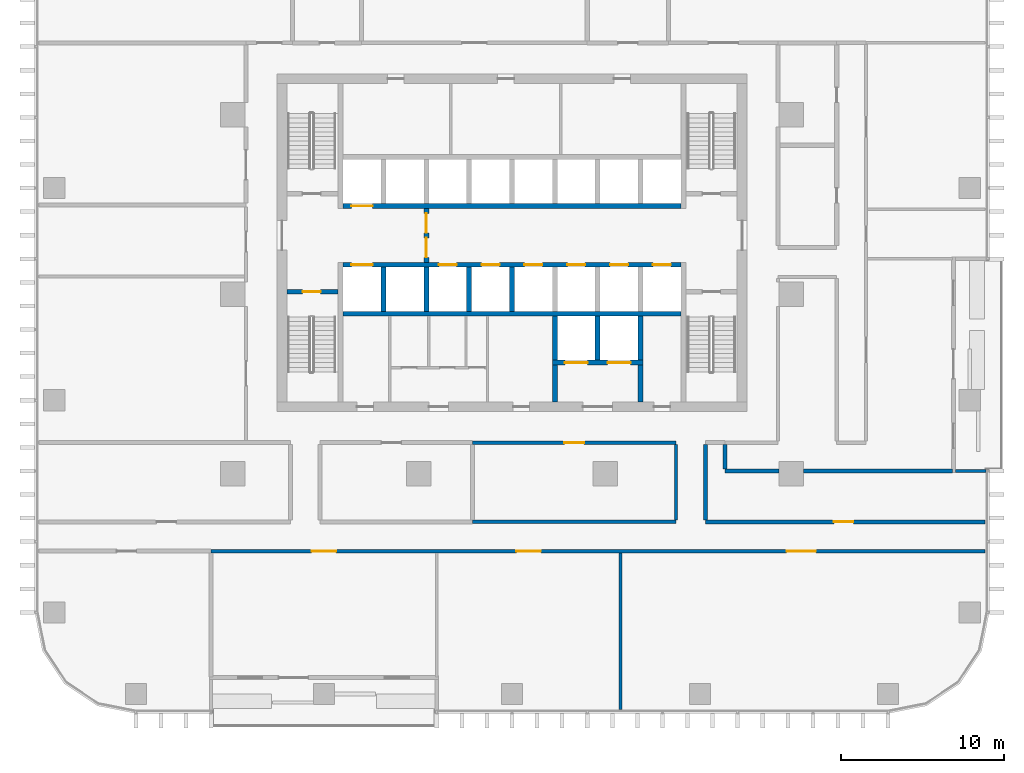
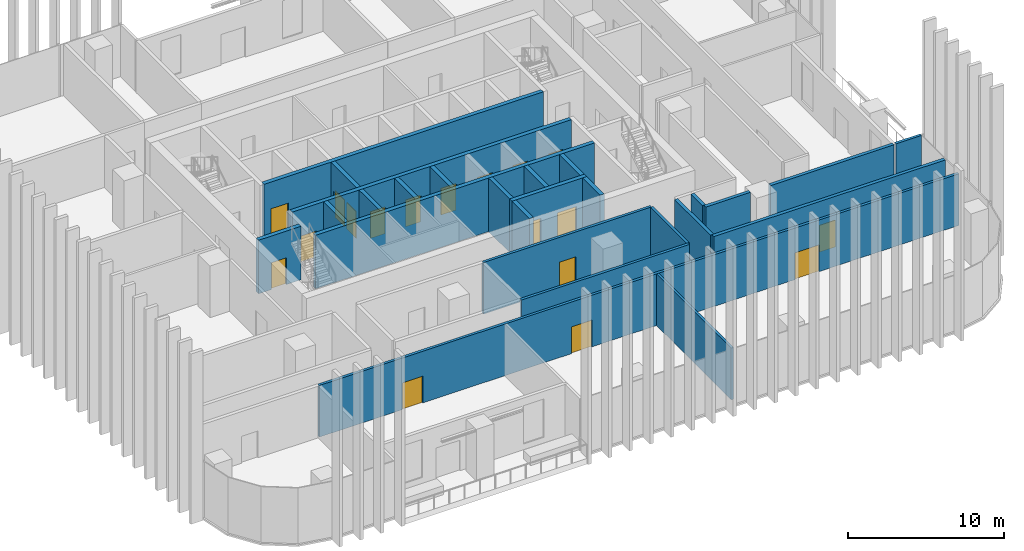
# One storey, part 8 of 17: 26 walls, 18 doors, 18 openings.
"""IFC4 building model written with IfcOpenShell, lengths in metres."""

from ifc_helpers import new_model, si_unit, direction, frame, frame_2d, origin, place, context, subcontext, project, spatial, rectangle, extrude, material, layer, layer_set, type_object, element, fill, save


model = new_model("IFC4")

# Units and contexts
model_context = context("Model", 3, precision=1e-05, world=origin(), true_north=direction((0.0, 1.0)))
body_context = subcontext(model_context, "Body", "Model", "MODEL_VIEW")
ifc_project = project(units=[si_unit("LENGTHUNIT", "METRE"), si_unit("AREAUNIT", "SQUARE_METRE"), si_unit("VOLUMEUNIT", "CUBIC_METRE"), si_unit("PLANEANGLEUNIT", "RADIAN"), si_unit("MASSUNIT", "GRAM", prefix="KILO")], contexts=[model_context])

# Site, building, storey
site_placement = place(None, origin())
site = spatial("IfcSite", under=ifc_project, at=site_placement, CompositionType="ELEMENT")
building_placement = place(site_placement, origin())
building = spatial("IfcBuilding", under=site, at=building_placement, Name="Mopane Tessera Tower", CompositionType="ELEMENT")
storey_placement = place(building_placement, frame((0.0, 0.0, 135.10009765625)))
storey = spatial("IfcBuildingStorey", under=building, at=storey_placement, Name="L27", CompositionType="ELEMENT", Elevation=135.10009765625)

# Wall
ifc_material_1 = material(Name="Gypsum board on staggered steel studs, double layer each face, acoustic mineral wool infill", Category="steel")
ifc_layer_1 = layer(ifc_material_1, 0.175048828125)
ifc_layer_set_1 = layer_set([ifc_layer_1], Name="Gypsum board on staggered steel studs, double layer each face, acoustic mineral wool infill")
wall_type_1 = type_object("IfcWallType", Name="Gypsum board acoustic partition 175, rated EI 60", PredefinedType="PARTITIONING", material=ifc_layer_set_1)
wall_1_placement = place(storey_placement, frame((6.64501953125, -25.449951171875, 0.0), z_axis=(0.0, 0.0, 1.0), x_axis=(0.0, 1.0, 0.0)))
element("IfcWall", 1, at=wall_1_placement, inside=storey, type_object=wall_type_1, Name="Partition L27:042", PredefinedType="PARTITIONING", context=body_context, shape_type="SweptSolid", body=[
    extrude(rectangle(XDim=9.599853515625, YDim=0.175048828125, at=frame_2d((4.7998046875, 0.0))), origin(), (0.0, 0.0, 1.0), 4.0498046875),
])

# Wall, openings, doors
ifc_material_2 = material(Name="Gypsum board on steel studs, two layers each face, mineral wool infill", Category="steel")
ifc_layer_2 = layer(ifc_material_2, 0.199951171875)
ifc_layer_set_2 = layer_set([ifc_layer_2], Name="Gypsum board on steel studs, two layers each face, mineral wool infill")
wall_type_2 = type_object("IfcWallType", Name="Gypsum board corridor wall 200, rated EI 60", PredefinedType="PARTITIONING", material=ifc_layer_set_2)
wall_2_placement = place(storey_placement, frame((-18.43994140625, -15.75, 0.0), z_axis=(0.0, 0.0, 1.0), x_axis=(1.0, 0.0, 0.0)))
wall_2 = element("IfcWall", 2, at=wall_2_placement, inside=storey, type_object=wall_type_2, Name="Partition L27:000", PredefinedType="PARTITIONING", context=body_context, shape_type="SweptSolid", body=[
    extrude(rectangle(XDim=47.43994140625, YDim=0.199951171875, at=frame_2d((23.719970703125, 0.0))), origin(), (0.0, 0.0, 1.0), 4.0498046875),
])
opening_1_placement = place(wall_2_placement, frame((18.70751953125, 0.0, 0.0)))
opening_1 = element("IfcOpeningElement", 3, at=opening_1_placement, cuts=wall_2, Name="Opening L27-03", PredefinedType="OPENING", context=body_context, shape_type="SweptSolid", body=[
    extrude(rectangle(XDim=1.5, YDim=2.10009765625, at=frame_2d((0.75, 1.050048828125))), frame((0.0, 0.112060546875, 0.0), z_axis=(0.0, -1.0, 0.0), x_axis=(1.0, 0.0, 0.0)), (0.0, 0.0, 1.0), 0.223876953125),
])
opening_2_placement = place(wall_2_placement, frame((6.1650390625, 0.0, 0.0)))
opening_2 = element("IfcOpeningElement", 4, at=opening_2_placement, cuts=wall_2, Name="Opening L27-12", PredefinedType="OPENING", context=body_context, shape_type="SweptSolid", body=[
    extrude(rectangle(XDim=1.5, YDim=2.10009765625, at=frame_2d((0.75, 1.050048828125))), frame((0.0, 0.112060546875, 0.0), z_axis=(0.0, -1.0, 0.0), x_axis=(1.0, 0.0, 0.0)), (0.0, 0.0, 1.0), 0.223876953125),
])
opening_3_placement = place(wall_2_placement, frame((35.262451171875, 0.0, 0.0)))
opening_3 = element("IfcOpeningElement", 5, at=opening_3_placement, cuts=wall_2, Name="Opening L27-20", PredefinedType="OPENING", context=body_context, shape_type="SweptSolid", body=[
    extrude(rectangle(XDim=1.800048828125, YDim=2.10009765625, at=frame_2d((0.89990234375, 1.050048828125))), frame((0.0, 0.112060546875, 0.0), z_axis=(0.0, -1.0, 0.0), x_axis=(1.0, 0.0, 0.0)), (0.0, 0.0, 1.0), 0.223876953125),
])
ifc_material_3 = material(Name="Timber veneered steel-framed fire door", Category="steel")
door_type_1 = type_object("IfcDoorType", Name="Fire door pair FD60 1500 x 2100", OperationType="DOUBLE_DOOR_SINGLE_SWING", PredefinedType="DOOR", material=ifc_material_3)
door_1_placement = place(opening_1_placement, origin())
door_1 = element("IfcDoor", 6, at=door_1_placement, inside=storey, type_object=door_type_1, Name="Door L27-03", ObjectType="D17A", OperationType="DOUBLE_DOOR_SINGLE_SWING", OverallHeight=2.10009765625, OverallWidth=1.5, PredefinedType="DOOR", context=body_context, shape_type="SweptSolid", body=[
    extrude(rectangle(XDim=1.5, YDim=2.10009765625, at=frame_2d((0.75, 1.050048828125))), frame((0.0, 0.02490234375, 0.0), z_axis=(0.0, -1.0, 0.0), x_axis=(1.0, 0.0, 0.0)), (0.0, 0.0, 1.0), 0.050048828125),
])
fill(opening_1, door_1)
door_2_placement = place(opening_2_placement, origin())
door_2 = element("IfcDoor", 7, at=door_2_placement, inside=storey, type_object=door_type_1, Name="Door L27-12", ObjectType="D17A", OperationType="DOUBLE_DOOR_SINGLE_SWING", OverallHeight=2.10009765625, OverallWidth=1.5, PredefinedType="DOOR", context=body_context, shape_type="SweptSolid", body=[
    extrude(rectangle(XDim=1.5, YDim=2.10009765625, at=frame_2d((0.75, 1.050048828125))), frame((0.0, 0.02490234375, 0.0), z_axis=(0.0, -1.0, 0.0), x_axis=(1.0, 0.0, 0.0)), (0.0, 0.0, 1.0), 0.050048828125),
])
fill(opening_2, door_2)
ifc_material_4 = material(Name="Timber veneered steel-framed fire door", Category="steel")
door_type_2 = type_object("IfcDoorType", Name="Fire door pair FD60 1800 x 2100", OperationType="DOUBLE_DOOR_SINGLE_SWING", PredefinedType="DOOR", material=ifc_material_4)
door_3_placement = place(opening_3_placement, origin())
door_3 = element("IfcDoor", 8, at=door_3_placement, inside=storey, type_object=door_type_2, Name="Door L27-20", ObjectType="D20A", OperationType="DOUBLE_DOOR_SINGLE_SWING", OverallHeight=2.10009765625, OverallWidth=1.800048828125, PredefinedType="DOOR", context=body_context, shape_type="SweptSolid", body=[
    extrude(rectangle(XDim=1.800048828125, YDim=2.10009765625, at=frame_2d((0.89990234375, 1.050048828125))), frame((0.0, 0.02490234375, 0.0), z_axis=(0.0, -1.0, 0.0), x_axis=(1.0, 0.0, 0.0)), (0.0, 0.0, 1.0), 0.050048828125),
])
fill(opening_3, door_3)

# Wall
wall_3_placement = place(storey_placement, frame((-2.419921875, -13.949951171875, 0.0), z_axis=(0.0, 0.0, 1.0), x_axis=(1.0, 0.0, 0.0)))
element("IfcWall", 9, at=wall_3_placement, inside=storey, type_object=wall_type_2, Name="Partition L27:002", PredefinedType="PARTITIONING", context=body_context, shape_type="SweptSolid", body=[
    extrude(rectangle(XDim=12.46484375, YDim=0.199951171875, at=frame_2d((6.232421875, 0.0))), origin(), (0.0, 0.0, 1.0), 4.0498046875),
])

# Wall, opening, door
wall_4_placement = place(storey_placement, frame((-2.419921875, -9.10009765625, 0.0), z_axis=(0.0, 0.0, 1.0), x_axis=(1.0, 0.0, 0.0)))
wall_4 = element("IfcWall", 10, at=wall_4_placement, inside=storey, type_object=wall_type_2, Name="Partition L27:008", PredefinedType="PARTITIONING", context=body_context, shape_type="SweptSolid", body=[
    extrude(rectangle(XDim=12.46484375, YDim=0.199951171875, at=frame_2d((6.232421875, 0.0))), origin(), (0.0, 0.0, 1.0), 4.0498046875),
])
opening_4_placement = place(wall_4_placement, frame((5.632568359375, 0.0, 0.0)))
opening_4 = element("IfcOpeningElement", 11, at=opening_4_placement, cuts=wall_4, Name="Opening L27-18", PredefinedType="OPENING", context=body_context, shape_type="SweptSolid", body=[
    extrude(rectangle(XDim=1.199951171875, YDim=2.10009765625, at=frame_2d((0.60009765625, 1.050048828125))), frame((0.0, 0.112060546875, 0.0), z_axis=(0.0, -1.0, 0.0), x_axis=(1.0, 0.0, 0.0)), (0.0, 0.0, 1.0), 0.223876953125),
])
ifc_material_5 = material(Name="Timber veneered steel-framed fire door", Category="steel")
door_type_3 = type_object("IfcDoorType", Name="Fire door FD60 1200 x 2100", OperationType="SINGLE_SWING_LEFT", PredefinedType="DOOR", material=ifc_material_5)
door_4_placement = place(opening_4_placement, origin())
door_4 = element("IfcDoor", 12, at=door_4_placement, inside=storey, type_object=door_type_3, Name="Door L27-18", ObjectType="D15A", OperationType="SINGLE_SWING_RIGHT", OverallHeight=2.10009765625, OverallWidth=1.199951171875, PredefinedType="DOOR", context=body_context, shape_type="SweptSolid", body=[
    extrude(rectangle(XDim=1.199951171875, YDim=2.10009765625, at=frame_2d((0.60009765625, 1.050048828125))), frame((0.0, 0.02490234375, 0.0), z_axis=(0.0, -1.0, 0.0), x_axis=(1.0, 0.0, 0.0)), (0.0, 0.0, 1.0), 0.050048828125),
])
fill(opening_4, door_4)

# Wall
wall_5_placement = place(storey_placement, frame((10.044921875, -13.85009765625, 0.0), z_axis=(0.0, 0.0, 1.0), x_axis=(0.0, 1.0, 0.0)))
element("IfcWall", 13, at=wall_5_placement, inside=storey, type_object=wall_type_2, Name="Partition L27:044", PredefinedType="PARTITIONING", context=body_context, shape_type="SweptSolid", body=[
    extrude(rectangle(XDim=4.650146484375, YDim=0.199951171875, at=frame_2d((2.3251953125, 0.0))), origin(), (0.0, 0.0, 1.0), 4.0498046875),
])

# Wall, opening, door
ifc_material_6 = material(Name="Concrete C50/60", Category="concrete")
ifc_layer_3 = layer(ifc_material_6, 0.300048828125)
ifc_layer_set_3 = layer_set([ifc_layer_3], Name="Concrete C50/60")
wall_type_3 = type_object("IfcWallType", Name="Lift and stair shaft wall 300 mm", PredefinedType="SOLIDWALL", material=ifc_layer_set_3)
wall_6_placement = place(storey_placement, frame((-13.800048828125, 0.14990234375, 0.0), z_axis=(0.0, 0.0, 1.0), x_axis=(1.0, 0.0, 0.0)))
wall_6 = element("IfcWall", 14, at=wall_6_placement, inside=storey, type_object=wall_type_3, Name="L27 Stair enclosure wall", PredefinedType="SOLIDWALL", context=body_context, shape_type="SweptSolid", body=[
    extrude(rectangle(XDim=3.150146484375, YDim=0.300048828125, at=frame_2d((1.5751953125, 0.0))), origin(), (0.0, 0.0, 1.0), 4.199951171875),
])
opening_5_placement = place(wall_6_placement, frame((0.97509765625, 0.0, 0.0)))
opening_5 = element("IfcOpeningElement", 15, at=opening_5_placement, cuts=wall_6, Name="Opening SD1", PredefinedType="OPENING", context=body_context, shape_type="SweptSolid", body=[
    extrude(rectangle(XDim=1.10009765625, YDim=2.10009765625, at=frame_2d((0.550048828125, 1.050048828125))), frame((0.0, 0.162109375, 0.0), z_axis=(0.0, -1.0, 0.0), x_axis=(1.0, 0.0, 0.0)), (0.0, 0.0, 1.0), 0.323974609375),
])
ifc_material_7 = material(Name="Steel fire door", Category="steel")
door_type_4 = type_object("IfcDoorType", Name="Stair fire door 1100 x 2100", OperationType="SINGLE_SWING_LEFT", PredefinedType="DOOR", material=ifc_material_7)
door_5_placement = place(opening_5_placement, origin())
door_5 = element("IfcDoor", 16, at=door_5_placement, inside=storey, type_object=door_type_4, Name="L27 Stair door ST1", OperationType="SINGLE_SWING_LEFT", OverallHeight=2.10009765625, OverallWidth=1.10009765625, PredefinedType="DOOR", context=body_context, shape_type="SweptSolid", body=[
    extrude(rectangle(XDim=1.10009765625, YDim=2.10009765625, at=frame_2d((0.550048828125, 1.050048828125))), frame((0.0, 0.02490234375, 0.0), z_axis=(0.0, -1.0, 0.0), x_axis=(1.0, 0.0, 0.0)), (0.0, 0.0, 1.0), 0.050048828125),
])
fill(opening_5, door_5)

# Wall
wall_7_placement = place(storey_placement, frame((-10.35009765625, -1.199951171875, 0.0), z_axis=(0.0, 0.0, 1.0), x_axis=(1.0, 0.0, 0.0)))
element("IfcWall", 17, at=wall_7_placement, inside=storey, type_object=wall_type_3, Name="L27 Lift shaft rear wall", PredefinedType="SOLIDWALL", context=body_context, shape_type="SweptSolid", body=[
    extrude(rectangle(XDim=20.7001953125, YDim=0.300048828125, at=frame_2d((10.35009765625, 0.0))), origin(), (0.0, 0.0, 1.0), 4.199951171875),
])

# Wall, openings, doors
wall_8_placement = place(storey_placement, frame((-10.35009765625, 1.800048828125, 0.0), z_axis=(0.0, 0.0, 1.0), x_axis=(1.0, 0.0, 0.0)))
wall_8 = element("IfcWall", 18, at=wall_8_placement, inside=storey, type_object=wall_type_3, Name="L27 Lift shaft front wall", PredefinedType="SOLIDWALL", context=body_context, shape_type="SweptSolid", body=[
    extrude(rectangle(XDim=20.7001953125, YDim=0.300048828125, at=frame_2d((10.35009765625, 0.0))), origin(), (0.0, 0.0, 1.0), 4.199951171875),
])
opening_6_placement = place(wall_8_placement, frame((0.512451171875, 0.0, 0.0)))
opening_6 = element("IfcOpeningElement", 19, at=opening_6_placement, cuts=wall_8, Name="Opening LD2", PredefinedType="OPENING", context=body_context, shape_type="SweptSolid", body=[
    extrude(rectangle(XDim=1.300048828125, YDim=2.10009765625, at=frame_2d((0.64990234375, 1.050048828125))), frame((0.0, 0.162109375, 0.0), z_axis=(0.0, -1.0, 0.0), x_axis=(1.0, 0.0, 0.0)), (0.0, 0.0, 1.0), 0.323974609375),
])
opening_7_placement = place(wall_8_placement, frame((5.862548828125, 0.0, 0.0)))
opening_7 = element("IfcOpeningElement", 20, at=opening_7_placement, cuts=wall_8, Name="Opening LD", PredefinedType="OPENING", context=body_context, shape_type="SweptSolid", body=[
    extrude(rectangle(XDim=1.10009765625, YDim=2.10009765625, at=frame_2d((0.550048828125, 1.050048828125))), frame((0.0, 0.162109375, 0.0), z_axis=(0.0, -1.0, 0.0), x_axis=(1.0, 0.0, 0.0)), (0.0, 0.0, 1.0), 0.323974609375),
])
opening_8_placement = place(wall_8_placement, frame((8.487548828125, 0.0, 0.0)))
opening_8 = element("IfcOpeningElement", 21, at=opening_8_placement, cuts=wall_8, Name="Opening LD", PredefinedType="OPENING", context=body_context, shape_type="SweptSolid", body=[
    extrude(rectangle(XDim=1.10009765625, YDim=2.10009765625, at=frame_2d((0.550048828125, 1.050048828125))), frame((0.0, 0.162109375, 0.0), z_axis=(0.0, -1.0, 0.0), x_axis=(1.0, 0.0, 0.0)), (0.0, 0.0, 1.0), 0.323974609375),
])
opening_9_placement = place(wall_8_placement, frame((11.112548828125, 0.0, 0.0)))
opening_9 = element("IfcOpeningElement", 22, at=opening_9_placement, cuts=wall_8, Name="Opening LD", PredefinedType="OPENING", context=body_context, shape_type="SweptSolid", body=[
    extrude(rectangle(XDim=1.10009765625, YDim=2.10009765625, at=frame_2d((0.550048828125, 1.050048828125))), frame((0.0, 0.162109375, 0.0), z_axis=(0.0, -1.0, 0.0), x_axis=(1.0, 0.0, 0.0)), (0.0, 0.0, 1.0), 0.323974609375),
])
opening_10_placement = place(wall_8_placement, frame((13.737548828125, 0.0, 0.0)))
opening_10 = element("IfcOpeningElement", 23, at=opening_10_placement, cuts=wall_8, Name="Opening LD", PredefinedType="OPENING", context=body_context, shape_type="SweptSolid", body=[
    extrude(rectangle(XDim=1.10009765625, YDim=2.10009765625, at=frame_2d((0.550048828125, 1.050048828125))), frame((0.0, 0.162109375, 0.0), z_axis=(0.0, -1.0, 0.0), x_axis=(1.0, 0.0, 0.0)), (0.0, 0.0, 1.0), 0.323974609375),
])
opening_11_placement = place(wall_8_placement, frame((16.362548828125, 0.0, 0.0)))
opening_11 = element("IfcOpeningElement", 24, at=opening_11_placement, cuts=wall_8, Name="Opening LD", PredefinedType="OPENING", context=body_context, shape_type="SweptSolid", body=[
    extrude(rectangle(XDim=1.10009765625, YDim=2.10009765625, at=frame_2d((0.550048828125, 1.050048828125))), frame((0.0, 0.162109375, 0.0), z_axis=(0.0, -1.0, 0.0), x_axis=(1.0, 0.0, 0.0)), (0.0, 0.0, 1.0), 0.323974609375),
])
opening_12_placement = place(wall_8_placement, frame((18.987548828125, 0.0, 0.0)))
opening_12 = element("IfcOpeningElement", 25, at=opening_12_placement, cuts=wall_8, Name="Opening LD", PredefinedType="OPENING", context=body_context, shape_type="SweptSolid", body=[
    extrude(rectangle(XDim=1.10009765625, YDim=2.10009765625, at=frame_2d((0.550048828125, 1.050048828125))), frame((0.0, 0.162109375, 0.0), z_axis=(0.0, -1.0, 0.0), x_axis=(1.0, 0.0, 0.0)), (0.0, 0.0, 1.0), 0.323974609375),
])
ifc_material_8 = material(Name="Stainless steel sliding door", Category="steel")
door_type_5 = type_object("IfcDoorType", Name="Fire-fighting lift landing door 1300 x 2100", OperationType="DOUBLE_DOOR_SLIDING", PredefinedType="DOOR", material=ifc_material_8)
door_6_placement = place(opening_6_placement, origin())
door_6 = element("IfcDoor", 26, at=door_6_placement, inside=storey, type_object=door_type_5, Name="L27 Lift landing door FF1", OperationType="DOUBLE_DOOR_SLIDING", OverallHeight=2.10009765625, OverallWidth=1.300048828125, PredefinedType="DOOR", context=body_context, shape_type="SweptSolid", body=[
    extrude(rectangle(XDim=1.300048828125, YDim=2.10009765625, at=frame_2d((0.64990234375, 1.050048828125))), frame((0.0, 0.02490234375, 0.0), z_axis=(0.0, -1.0, 0.0), x_axis=(1.0, 0.0, 0.0)), (0.0, 0.0, 1.0), 0.050048828125),
])
fill(opening_6, door_6)
ifc_material_9 = material(Name="Stainless steel sliding door", Category="steel")
door_type_6 = type_object("IfcDoorType", Name="Lift landing door 1100 x 2100", OperationType="DOUBLE_DOOR_SLIDING", PredefinedType="DOOR", material=ifc_material_9)
door_7_placement = place(opening_7_placement, origin())
door_7 = element("IfcDoor", 27, at=door_7_placement, inside=storey, type_object=door_type_6, Name="L27 Lift landing door LR1", OperationType="DOUBLE_DOOR_SLIDING", OverallHeight=2.10009765625, OverallWidth=1.10009765625, PredefinedType="DOOR", context=body_context, shape_type="SweptSolid", body=[
    extrude(rectangle(XDim=1.10009765625, YDim=2.10009765625, at=frame_2d((0.550048828125, 1.050048828125))), frame((0.0, 0.02490234375, 0.0), z_axis=(0.0, -1.0, 0.0), x_axis=(1.0, 0.0, 0.0)), (0.0, 0.0, 1.0), 0.050048828125),
])
fill(opening_7, door_7)
door_8_placement = place(opening_8_placement, origin())
door_8 = element("IfcDoor", 28, at=door_8_placement, inside=storey, type_object=door_type_6, Name="L27 Lift landing door LR2", OperationType="DOUBLE_DOOR_SLIDING", OverallHeight=2.10009765625, OverallWidth=1.10009765625, PredefinedType="DOOR", context=body_context, shape_type="SweptSolid", body=[
    extrude(rectangle(XDim=1.10009765625, YDim=2.10009765625, at=frame_2d((0.550048828125, 1.050048828125))), frame((0.0, 0.02490234375, 0.0), z_axis=(0.0, -1.0, 0.0), x_axis=(1.0, 0.0, 0.0)), (0.0, 0.0, 1.0), 0.050048828125),
])
fill(opening_8, door_8)
door_9_placement = place(opening_9_placement, origin())
door_9 = element("IfcDoor", 29, at=door_9_placement, inside=storey, type_object=door_type_6, Name="L27 Lift landing door LR3", OperationType="DOUBLE_DOOR_SLIDING", OverallHeight=2.10009765625, OverallWidth=1.10009765625, PredefinedType="DOOR", context=body_context, shape_type="SweptSolid", body=[
    extrude(rectangle(XDim=1.10009765625, YDim=2.10009765625, at=frame_2d((0.550048828125, 1.050048828125))), frame((0.0, 0.02490234375, 0.0), z_axis=(0.0, -1.0, 0.0), x_axis=(1.0, 0.0, 0.0)), (0.0, 0.0, 1.0), 0.050048828125),
])
fill(opening_9, door_9)
door_10_placement = place(opening_10_placement, origin())
door_10 = element("IfcDoor", 30, at=door_10_placement, inside=storey, type_object=door_type_6, Name="L27 Lift landing door LR4", OperationType="DOUBLE_DOOR_SLIDING", OverallHeight=2.10009765625, OverallWidth=1.10009765625, PredefinedType="DOOR", context=body_context, shape_type="SweptSolid", body=[
    extrude(rectangle(XDim=1.10009765625, YDim=2.10009765625, at=frame_2d((0.550048828125, 1.050048828125))), frame((0.0, 0.02490234375, 0.0), z_axis=(0.0, -1.0, 0.0), x_axis=(1.0, 0.0, 0.0)), (0.0, 0.0, 1.0), 0.050048828125),
])
fill(opening_10, door_10)
door_11_placement = place(opening_11_placement, origin())
door_11 = element("IfcDoor", 31, at=door_11_placement, inside=storey, type_object=door_type_6, Name="L27 Lift landing door LR5", OperationType="DOUBLE_DOOR_SLIDING", OverallHeight=2.10009765625, OverallWidth=1.10009765625, PredefinedType="DOOR", context=body_context, shape_type="SweptSolid", body=[
    extrude(rectangle(XDim=1.10009765625, YDim=2.10009765625, at=frame_2d((0.550048828125, 1.050048828125))), frame((0.0, 0.02490234375, 0.0), z_axis=(0.0, -1.0, 0.0), x_axis=(1.0, 0.0, 0.0)), (0.0, 0.0, 1.0), 0.050048828125),
])
fill(opening_11, door_11)
door_12_placement = place(opening_12_placement, origin())
door_12 = element("IfcDoor", 32, at=door_12_placement, inside=storey, type_object=door_type_6, Name="L27 Lift landing door LR6", OperationType="DOUBLE_DOOR_SLIDING", OverallHeight=2.10009765625, OverallWidth=1.10009765625, PredefinedType="DOOR", context=body_context, shape_type="SweptSolid", body=[
    extrude(rectangle(XDim=1.10009765625, YDim=2.10009765625, at=frame_2d((0.550048828125, 1.050048828125))), frame((0.0, 0.02490234375, 0.0), z_axis=(0.0, -1.0, 0.0), x_axis=(1.0, 0.0, 0.0)), (0.0, 0.0, 1.0), 0.050048828125),
])
fill(opening_12, door_12)

# Wall, opening, door
wall_9_placement = place(storey_placement, frame((-10.35009765625, 5.39990234375, 0.0), z_axis=(0.0, 0.0, 1.0), x_axis=(1.0, 0.0, 0.0)))
wall_9 = element("IfcWall", 33, at=wall_9_placement, inside=storey, type_object=wall_type_3, Name="L27 Lift shaft front wall", PredefinedType="SOLIDWALL", context=body_context, shape_type="SweptSolid", body=[
    extrude(rectangle(XDim=20.7001953125, YDim=0.300048828125, at=frame_2d((10.35009765625, 0.0))), origin(), (0.0, 0.0, 1.0), 4.199951171875),
])
opening_13_placement = place(wall_9_placement, frame((0.512451171875, 0.0, 0.0)))
opening_13 = element("IfcOpeningElement", 34, at=opening_13_placement, cuts=wall_9, Name="Opening LD2", PredefinedType="OPENING", context=body_context, shape_type="SweptSolid", body=[
    extrude(rectangle(XDim=1.300048828125, YDim=2.10009765625, at=frame_2d((0.64990234375, 1.050048828125))), frame((0.0, 0.162109375, 0.0), z_axis=(0.0, -1.0, 0.0), x_axis=(1.0, 0.0, 0.0)), (0.0, 0.0, 1.0), 0.323974609375),
])
door_13_placement = place(opening_13_placement, origin())
door_13 = element("IfcDoor", 35, at=door_13_placement, inside=storey, type_object=door_type_5, Name="L27 Lift landing door FF2", OperationType="DOUBLE_DOOR_SLIDING", OverallHeight=2.10009765625, OverallWidth=1.300048828125, PredefinedType="DOOR", context=body_context, shape_type="SweptSolid", body=[
    extrude(rectangle(XDim=1.300048828125, YDim=2.10009765625, at=frame_2d((0.64990234375, 1.050048828125))), frame((0.0, 0.02490234375, 0.0), z_axis=(0.0, -1.0, 0.0), x_axis=(1.0, 0.0, 0.0)), (0.0, 0.0, 1.0), 0.050048828125),
])
fill(opening_13, door_13)

# Walls
for number, where, z_axis, x_axis, name in (
    (36, (-7.875, -1.050048828125, 0.0), (0.0, 0.0, 1.0), (0.0, 1.0, 0.0), "L27 Lift shaft wall"),
    (37, (-5.25, -1.050048828125, 0.0), (0.0, 0.0, 1.0), (0.0, 1.0, 0.0), "L27 Lift shaft wall"),
    (38, (-2.625, -1.050048828125, 0.0), (0.0, 0.0, 1.0), (0.0, 1.0, 0.0), "L27 Lift shaft wall"),
    (39, (0.0, -1.050048828125, 0.0), (0.0, 0.0, 1.0), (0.0, 1.0, 0.0), "L27 Lift shaft wall"),
):
    element("IfcWall", number, at=place(storey_placement, frame(where, z_axis=z_axis, x_axis=x_axis)), inside=storey, type_object=wall_type_3, Name=name, PredefinedType="SOLIDWALL", context=body_context, shape_type="SweptSolid", body=[
        extrude(rectangle(XDim=2.699951171875, YDim=0.300048828125, at=frame_2d((1.35009765625, 0.0))), origin(), (0.0, 0.0, 1.0), 4.199951171875),
    ])

# Wall, openings, doors
wall_10_placement = place(storey_placement, frame((2.47509765625, -4.199951171875, 0.0), z_axis=(0.0, 0.0, 1.0), x_axis=(1.0, 0.0, 0.0)))
wall_10 = element("IfcWall", 40, at=wall_10_placement, inside=storey, type_object=wall_type_3, Name="L27 Lift shaft front wall", PredefinedType="SOLIDWALL", context=body_context, shape_type="SweptSolid", body=[
    extrude(rectangle(XDim=5.5498046875, YDim=0.300048828125, at=frame_2d((2.77490234375, 0.0))), origin(), (0.0, 0.0, 1.0), 4.199951171875),
])
opening_14_placement = place(wall_10_placement, frame((0.762451171875, 0.0, 0.0)))
opening_14 = element("IfcOpeningElement", 41, at=opening_14_placement, cuts=wall_10, Name="Opening LD3", PredefinedType="OPENING", context=body_context, shape_type="SweptSolid", body=[
    extrude(rectangle(XDim=1.39990234375, YDim=2.10009765625, at=frame_2d((0.699951171875, 1.050048828125))), frame((0.0, 0.162109375, 0.0), z_axis=(0.0, -1.0, 0.0), x_axis=(1.0, 0.0, 0.0)), (0.0, 0.0, 1.0), 0.323974609375),
])
opening_15_placement = place(wall_10_placement, frame((3.387451171875, 0.0, 0.0)))
opening_15 = element("IfcOpeningElement", 42, at=opening_15_placement, cuts=wall_10, Name="Opening LD3", PredefinedType="OPENING", context=body_context, shape_type="SweptSolid", body=[
    extrude(rectangle(XDim=1.39990234375, YDim=2.10009765625, at=frame_2d((0.699951171875, 1.050048828125))), frame((0.0, 0.162109375, 0.0), z_axis=(0.0, -1.0, 0.0), x_axis=(1.0, 0.0, 0.0)), (0.0, 0.0, 1.0), 0.323974609375),
])
ifc_material_10 = material(Name="Stainless steel sliding door", Category="steel")
door_type_7 = type_object("IfcDoorType", Name="Service lift landing door 1400 x 2100", OperationType="DOUBLE_DOOR_SLIDING", PredefinedType="DOOR", material=ifc_material_10)
door_14_placement = place(opening_14_placement, origin())
door_14 = element("IfcDoor", 43, at=door_14_placement, inside=storey, type_object=door_type_7, Name="L27 Lift landing door SV1", OperationType="DOUBLE_DOOR_SLIDING", OverallHeight=2.10009765625, OverallWidth=1.39990234375, PredefinedType="DOOR", context=body_context, shape_type="SweptSolid", body=[
    extrude(rectangle(XDim=1.39990234375, YDim=2.10009765625, at=frame_2d((0.699951171875, 1.050048828125))), frame((0.0, 0.02490234375, 0.0), z_axis=(0.0, -1.0, 0.0), x_axis=(1.0, 0.0, 0.0)), (0.0, 0.0, 1.0), 0.050048828125),
])
fill(opening_14, door_14)
door_15_placement = place(opening_15_placement, origin())
door_15 = element("IfcDoor", 44, at=door_15_placement, inside=storey, type_object=door_type_7, Name="L27 Lift landing door SV2", OperationType="DOUBLE_DOOR_SLIDING", OverallHeight=2.10009765625, OverallWidth=1.39990234375, PredefinedType="DOOR", context=body_context, shape_type="SweptSolid", body=[
    extrude(rectangle(XDim=1.39990234375, YDim=2.10009765625, at=frame_2d((0.699951171875, 1.050048828125))), frame((0.0, 0.02490234375, 0.0), z_axis=(0.0, -1.0, 0.0), x_axis=(1.0, 0.0, 0.0)), (0.0, 0.0, 1.0), 0.050048828125),
])
fill(opening_15, door_15)

# Walls
for number, where, z_axis, x_axis, name in (
    (45, (2.625, -4.050048828125, 0.0), (0.0, 0.0, 1.0), (0.0, 1.0, 0.0), "L27 Lift shaft wall"),
    (46, (5.25, -4.050048828125, 0.0), (0.0, 0.0, 1.0), (0.0, 1.0, 0.0), "L27 Lift shaft wall"),
    (47, (7.875, -4.050048828125, 0.0), (0.0, 0.0, 1.0), (0.0, 1.0, 0.0), "L27 Lift shaft wall"),
):
    element("IfcWall", number, at=place(storey_placement, frame(where, z_axis=z_axis, x_axis=x_axis)), inside=storey, type_object=wall_type_3, Name=name, PredefinedType="SOLIDWALL", context=body_context, shape_type="SweptSolid", body=[
        extrude(rectangle(XDim=2.699951171875, YDim=0.300048828125, at=frame_2d((1.35009765625, 0.0))), origin(), (0.0, 0.0, 1.0), 4.199951171875),
    ])

# Wall, openings, doors
ifc_material_11 = material(Name="Concrete C50/60", Category="concrete")
ifc_layer_4 = layer(ifc_material_11, 0.300048828125)
ifc_layer_set_4 = layer_set([ifc_layer_4], Name="Concrete C50/60")
wall_type_4 = type_object("IfcWallType", Name="Lobby and refuge room wall 300 mm", PredefinedType="SOLIDWALL", material=ifc_layer_set_4)
wall_11_placement = place(storey_placement, frame((-5.25, 1.949951171875, 0.0), z_axis=(0.0, 0.0, 1.0), x_axis=(0.0, 1.0, 0.0)))
wall_11 = element("IfcWall", 48, at=wall_11_placement, inside=storey, type_object=wall_type_4, Name="L27 Fire-fighting lobby wall", PredefinedType="SOLIDWALL", context=body_context, shape_type="SweptSolid", body=[
    extrude(rectangle(XDim=3.300048828125, YDim=0.300048828125, at=frame_2d((1.64990234375, 0.0))), origin(), (0.0, 0.0, 1.0), 4.199951171875),
])
opening_16_placement = place(wall_11_placement, frame((0.300048828125, 0.0, 0.0)))
opening_16 = element("IfcOpeningElement", 49, at=opening_16_placement, cuts=wall_11, Name="Opening SD3", PredefinedType="OPENING", context=body_context, shape_type="SweptSolid", body=[
    extrude(rectangle(XDim=1.199951171875, YDim=2.10009765625, at=frame_2d((0.60009765625, 1.050048828125))), frame((0.0, 0.162109375, 0.0), z_axis=(0.0, -1.0, 0.0), x_axis=(1.0, 0.0, 0.0)), (0.0, 0.0, 1.0), 0.323974609375),
])
opening_17_placement = place(wall_11_placement, frame((1.800048828125, 0.0, 0.0)))
opening_17 = element("IfcOpeningElement", 50, at=opening_17_placement, cuts=wall_11, Name="Opening SD3", PredefinedType="OPENING", context=body_context, shape_type="SweptSolid", body=[
    extrude(rectangle(XDim=1.199951171875, YDim=2.10009765625, at=frame_2d((0.60009765625, 1.050048828125))), frame((0.0, 0.162109375, 0.0), z_axis=(0.0, -1.0, 0.0), x_axis=(1.0, 0.0, 0.0)), (0.0, 0.0, 1.0), 0.323974609375),
])
ifc_material_12 = material(Name="Steel fire door", Category="steel")
door_type_8 = type_object("IfcDoorType", Name="Lobby fire door 1200 x 2100", OperationType="SINGLE_SWING_LEFT", PredefinedType="DOOR", material=ifc_material_12)
door_16_placement = place(opening_16_placement, origin())
door_16 = element("IfcDoor", 51, at=door_16_placement, inside=storey, type_object=door_type_8, Name="L27 Fire-fighting lobby door", OperationType="SINGLE_SWING_LEFT", OverallHeight=2.10009765625, OverallWidth=1.199951171875, PredefinedType="DOOR", context=body_context, shape_type="SweptSolid", body=[
    extrude(rectangle(XDim=1.199951171875, YDim=2.10009765625, at=frame_2d((0.60009765625, 1.050048828125))), frame((0.0, 0.02490234375, 0.0), z_axis=(0.0, -1.0, 0.0), x_axis=(1.0, 0.0, 0.0)), (0.0, 0.0, 1.0), 0.050048828125),
])
fill(opening_16, door_16)
door_17_placement = place(opening_17_placement, origin())
door_17 = element("IfcDoor", 52, at=door_17_placement, inside=storey, type_object=door_type_8, Name="L27 Fire-fighting lobby door", OperationType="SINGLE_SWING_RIGHT", OverallHeight=2.10009765625, OverallWidth=1.199951171875, PredefinedType="DOOR", context=body_context, shape_type="SweptSolid", body=[
    extrude(rectangle(XDim=1.199951171875, YDim=2.10009765625, at=frame_2d((0.60009765625, 1.050048828125))), frame((0.0, 0.02490234375, 0.0), z_axis=(0.0, -1.0, 0.0), x_axis=(1.0, 0.0, 0.0)), (0.0, 0.0, 1.0), 0.050048828125),
])
fill(opening_17, door_17)

# Walls
for number, where, z_axis, x_axis, name in (
    (53, (2.625, -6.60009765625, 0.0), (0.0, 0.0, 1.0), (0.0, 1.0, 0.0), "L27 Service lobby wall"),
    (54, (7.875, -6.60009765625, 0.0), (0.0, 0.0, 1.0), (0.0, 1.0, 0.0), "L27 Service lobby wall"),
):
    element("IfcWall", number, at=place(storey_placement, frame(where, z_axis=z_axis, x_axis=x_axis)), inside=storey, type_object=wall_type_4, Name=name, PredefinedType="SOLIDWALL", context=body_context, shape_type="SweptSolid", body=[
        extrude(rectangle(XDim=2.25, YDim=0.300048828125, at=frame_2d((1.125, 0.0))), origin(), (0.0, 0.0, 1.0), 4.199951171875),
    ])

# Wall, opening, door
ifc_material_13 = material(Name="Plastered concrete blockwork C20/25", Category="masonry")
ifc_layer_5 = layer(ifc_material_13, 0.25)
ifc_layer_set_5 = layer_set([ifc_layer_5], Name="Plastered concrete blockwork C20/25")
wall_type_5 = type_object("IfcWallType", Name="Plastered blockwork wall 250, rated EI 120", PredefinedType="PARTITIONING", material=ifc_layer_set_5)
wall_12_placement = place(storey_placement, frame((11.844970703125, -13.949951171875, 0.0), z_axis=(0.0, 0.0, 1.0), x_axis=(1.0, 0.0, 0.0)))
wall_12 = element("IfcWall", 55, at=wall_12_placement, inside=storey, type_object=wall_type_5, Name="Partition L27:005", PredefinedType="PARTITIONING", context=body_context, shape_type="SweptSolid", body=[
    extrude(rectangle(XDim=17.155029296875, YDim=0.25, at=frame_2d((8.57763671875, 0.0))), origin(), (0.0, 0.0, 1.0), 4.0498046875),
])
opening_18_placement = place(wall_12_placement, frame((7.87744140625, 0.0, 0.0)))
opening_18 = element("IfcOpeningElement", 56, at=opening_18_placement, cuts=wall_12, Name="Opening L27-01", PredefinedType="OPENING", context=body_context, shape_type="SweptSolid", body=[
    extrude(rectangle(XDim=1.199951171875, YDim=2.10009765625, at=frame_2d((0.60009765625, 1.050048828125))), frame((0.0, 0.136962890625, 0.0), z_axis=(0.0, -1.0, 0.0), x_axis=(1.0, 0.0, 0.0)), (0.0, 0.0, 1.0), 0.27392578125),
])
ifc_material_14 = material(Name="Timber veneered steel-framed fire door", Category="steel")
door_type_9 = type_object("IfcDoorType", Name="Fire door FD120 1200 x 2100", OperationType="SINGLE_SWING_LEFT", PredefinedType="DOOR", material=ifc_material_14)
door_18_placement = place(opening_18_placement, origin())
door_18 = element("IfcDoor", 57, at=door_18_placement, inside=storey, type_object=door_type_9, Name="Door L27-01", ObjectType="D15B", OperationType="SINGLE_SWING_LEFT", OverallHeight=2.10009765625, OverallWidth=1.199951171875, PredefinedType="DOOR", context=body_context, shape_type="SweptSolid", body=[
    extrude(rectangle(XDim=1.199951171875, YDim=2.10009765625, at=frame_2d((0.60009765625, 1.050048828125))), frame((0.0, 0.02490234375, 0.0), z_axis=(0.0, -1.0, 0.0), x_axis=(1.0, 0.0, 0.0)), (0.0, 0.0, 1.0), 0.050048828125),
])
fill(opening_18, door_18)

# Walls
wall_13_placement = place(storey_placement, frame((13.050048828125, -10.8349609375, 0.0), z_axis=(0.0, 0.0, 1.0), x_axis=(1.0, 0.0, 0.0)))
element("IfcWall", 58, at=wall_13_placement, inside=storey, type_object=wall_type_5, Name="Partition L27:006", PredefinedType="PARTITIONING", context=body_context, shape_type="SweptSolid", body=[
    extrude(rectangle(XDim=3.300048828125, YDim=0.25, at=frame_2d((1.64990234375, 0.0))), origin(), (0.0, 0.0, 1.0), 4.0498046875),
])
wall_14_placement = place(storey_placement, frame((17.85009765625, -10.8349609375, 0.0), z_axis=(0.0, 0.0, 1.0), x_axis=(1.0, 0.0, 0.0)))
element("IfcWall", 59, at=wall_14_placement, inside=storey, type_object=wall_type_5, Name="Partition L27:007", PredefinedType="PARTITIONING", context=body_context, shape_type="SweptSolid", body=[
    extrude(rectangle(XDim=9.14990234375, YDim=0.25, at=frame_2d((4.574951171875, 0.0))), origin(), (0.0, 0.0, 1.0), 4.0498046875),
])
wall_15_placement = place(storey_placement, frame((11.844970703125, -13.824951171875, 0.0), z_axis=(0.0, 0.0, 1.0), x_axis=(0.0, 1.0, 0.0)))
element("IfcWall", 60, at=wall_15_placement, inside=storey, type_object=wall_type_5, Name="Partition L27:045", PredefinedType="PARTITIONING", context=body_context, shape_type="SweptSolid", body=[
    extrude(rectangle(XDim=4.599853515625, YDim=0.25, at=frame_2d((2.2998046875, 0.0))), origin(), (0.0, 0.0, 1.0), 4.0498046875),
])
wall_16_placement = place(storey_placement, frame((13.050048828125, -10.7099609375, 0.0), z_axis=(0.0, 0.0, 1.0), x_axis=(0.0, 1.0, 0.0)))
element("IfcWall", 61, at=wall_16_placement, inside=storey, type_object=wall_type_5, Name="Partition L27:046", PredefinedType="PARTITIONING", context=body_context, shape_type="SweptSolid", body=[
    extrude(rectangle(XDim=1.48486328125, YDim=0.25, at=frame_2d((0.742431640625, 0.0))), origin(), (0.0, 0.0, 1.0), 4.0498046875),
])
ifc_material_15 = material(Name="Blockwork with glazed tile facing", Category="masonry")
ifc_layer_6 = layer(ifc_material_15, 0.199951171875)
ifc_layer_set_6 = layer_set([ifc_layer_6], Name="Blockwork with glazed tile facing")
wall_type_6 = type_object("IfcWallType", Name="Terrace cheek wall 200", PredefinedType="STANDARD", material=ifc_layer_set_6)
wall_17_placement = place(storey_placement, frame((29.050048828125, -10.833251953125, 0.0), z_axis=(0.0, 0.0, 1.0), x_axis=(-1.0, 0.0, 0.0)))
element("IfcWall", 62, at=wall_17_placement, inside=storey, type_object=wall_type_6, Name="e:nw:L27:N3:cheeka", PredefinedType="STANDARD", context=body_context, shape_type="SweptSolid", body=[
    extrude(rectangle(XDim=1.875, YDim=0.199951171875, at=frame_2d((0.9375, 0.0))), origin(), (0.0, 0.0, 1.0), 4.0498046875),
])

save(model, "model.ifc")
